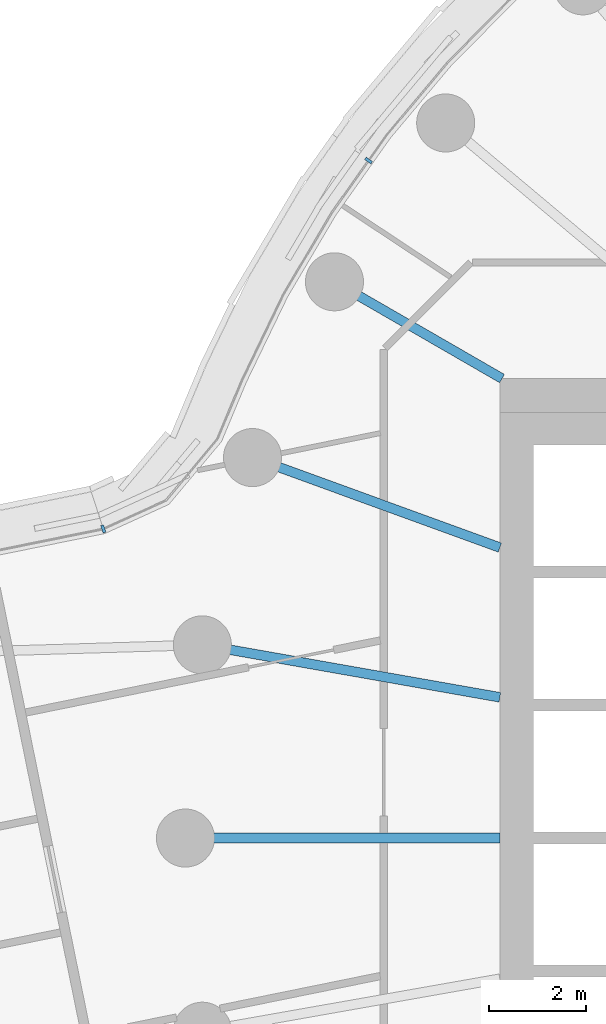
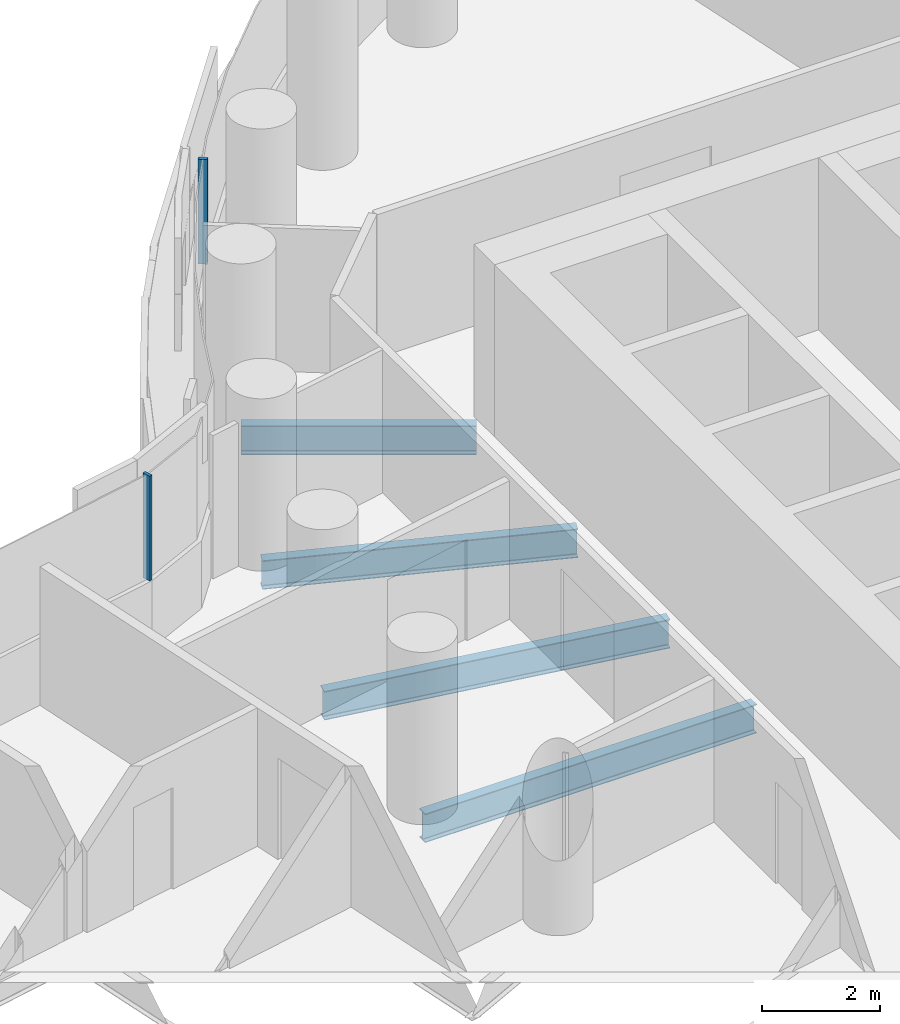
# One storey, part 7 of 31: 4 beams, 2 members, 2 elements without a shape of their own.
"""IFC4 building model written with IfcOpenShell, lengths in metres."""

from ifc_helpers import new_model, si_unit, direction, frame, origin, origin_2d, place, context, subcontext, project, spatial, rectangle, i_section, extrude, material, layer, layer_set, material_profile, profile_set, type_object, element, aggregate, save


model = new_model("IFC4")

# Units and contexts
model_context = context("Model", 3, precision=1e-05, world=origin(), true_north=direction((0.0, 1.0)))
body_context = subcontext(model_context, "Body", "Model", "MODEL_VIEW")
ifc_project = project(units=[si_unit("LENGTHUNIT", "METRE"), si_unit("AREAUNIT", "SQUARE_METRE"), si_unit("VOLUMEUNIT", "CUBIC_METRE"), si_unit("PLANEANGLEUNIT", "RADIAN"), si_unit("MASSUNIT", "GRAM", prefix="KILO")], contexts=[model_context])

# Site, building, storey
site_placement = place(None, origin())
site = spatial("IfcSite", under=ifc_project, at=site_placement, CompositionType="ELEMENT")
building_placement = place(site_placement, origin())
building = spatial("IfcBuilding", under=site, at=building_placement, Name="Tamarind Cross Interchange Tower", CompositionType="ELEMENT")
storey_placement = place(building_placement, frame((0.0, 0.0, 75.25)))
storey = spatial("IfcBuildingStorey", under=building, at=storey_placement, Name="L17", CompositionType="ELEMENT", Elevation=75.25)

# Beams
ifc_material_1 = material(Name="Steel Q355B", Category="steel")
ifc_material_profile_1 = material_profile(ifc_material_1, i_section(OverallWidth=0.198974609375, OverallDepth=0.595947265625, WebThickness=0.010009765625, FlangeThickness=0.014892578125, FilletRadius=0.012939453125, at=origin_2d()), Name="HN 596x199x10x15")
ifc_profile_set_1 = profile_set([ifc_material_profile_1], Name="Steel Q355B")
beam_type = type_object("IfcBeamType", Name="Composite beam HN 596x199x10x15 Q355B", PredefinedType="BEAM", material=ifc_profile_set_1)
beam_1_placement = place(storey_placement, frame((-19.918701171875, 11.5, -0.43798828125), z_axis=(0.866026010844, -0.49999894854, 0.0), x_axis=(0.49999894854, 0.866026010844, 0.0)))
element("IfcBeam", 1, at=beam_1_placement, inside=storey, type_object=beam_type, Name="Beam HH15", PredefinedType="BEAM", context=body_context, shape_type="SweptSolid", body=[
    extrude(i_section(OverallWidth=0.198974609375, OverallDepth=0.595947265625, WebThickness=0.010009765625, FlangeThickness=0.014892578125, FilletRadius=0.012939453125, at=origin_2d()), origin(), (0.0, 0.0, 1.0), 4.0),
])
beam_2_placement = place(storey_placement, frame((-21.613037109375, 7.866455078125, -0.43798828125), z_axis=(0.939701685589, -0.341995236956, 0.0), x_axis=(0.341995236956, 0.939701685589, 0.0)))
element("IfcBeam", 2, at=beam_2_placement, inside=storey, type_object=beam_type, Name="Beam HH16", PredefinedType="BEAM", context=body_context, shape_type="SweptSolid", body=[
    extrude(i_section(OverallWidth=0.198974609375, OverallDepth=0.595947265625, WebThickness=0.010009765625, FlangeThickness=0.014892578125, FilletRadius=0.012939453125, at=origin_2d()), origin(), (0.0, 0.0, 1.0), 5.441162109375),
])
beam_3_placement = place(storey_placement, frame((-22.650634765625, 3.993896484375, -0.43798828125), z_axis=(0.984809127561, -0.173640382036, 0.0), x_axis=(0.173640382036, 0.984809127561, 0.0)))
element("IfcBeam", 3, at=beam_3_placement, inside=storey, type_object=beam_type, Name="Beam HH17", PredefinedType="BEAM", context=body_context, shape_type="SweptSolid", body=[
    extrude(i_section(OverallWidth=0.198974609375, OverallDepth=0.595947265625, WebThickness=0.010009765625, FlangeThickness=0.014892578125, FilletRadius=0.012939453125, at=origin_2d()), origin(), (0.0, 0.0, 1.0), 6.24560546875),
])
beam_4_placement = place(storey_placement, frame((-23.0, 0.0, -0.43798828125), z_axis=(1.0, 0.0, 0.0), x_axis=(0.0, 1.0, 0.0)))
element("IfcBeam", 4, at=beam_4_placement, inside=storey, type_object=beam_type, Name="Beam HH18", PredefinedType="BEAM", context=body_context, shape_type="SweptSolid", body=[
    extrude(i_section(OverallWidth=0.198974609375, OverallDepth=0.595947265625, WebThickness=0.010009765625, FlangeThickness=0.014892578125, FilletRadius=0.012939453125, at=origin_2d()), origin(), (0.0, 0.0, 1.0), 6.5),
])

# Curtain wall, member
ifc_material_2 = material(Name="Aluminium 6063-T6", Category="aluminium")
ifc_layer = layer(ifc_material_2, 0.159912109375)
ifc_layer_set = layer_set([ifc_layer], Name="Aluminium 6063-T6")
curtain_wall_type = type_object("IfcCurtainWallType", Name="Office curtain wall, 9.0 m bays", PredefinedType="NOTDEFINED", material=ifc_layer_set)
curtain_wall_1_placement = place(storey_placement, origin())
curtain_wall_1 = element("IfcCurtainWall", 5, at=curtain_wall_1_placement, inside=storey, type_object=curtain_wall_type, Name="CWS-L17-14", PredefinedType="NOTDEFINED")
ifc_material_profile_2 = material_profile(ifc_material_2, rectangle(XDim=0.06005859375, YDim=0.159912109375, at=origin_2d()), Name="Mullion CW1")
ifc_profile_set_2 = profile_set([ifc_material_profile_2], Name="Aluminium 6063-T6")
member_type = type_object("IfcMemberType", Name="Mullion CW1", PredefinedType="MULLION", material=ifc_profile_set_2)
member_1_placement = place(storey_placement, frame((-19.21435546875, 14.007080078125, 1.39990234375), z_axis=(0.0, 0.0, 1.0), x_axis=(-0.577568978284, -0.816341886298, 0.0)))
member_1 = element("IfcMember", 6, at=member_1_placement, type_object=member_type, Name="CWM-L17-14-02", PredefinedType="MULLION", context=body_context, shape_type="SweptSolid", body=[
    extrude(rectangle(XDim=0.06005859375, YDim=0.159912109375, at=origin_2d()), origin(), (0.0, 0.0, 1.0), 2.170166015625),
])
aggregate(curtain_wall_1, [member_1])

curtain_wall_2_placement = place(storey_placement, origin())
curtain_wall_2 = element("IfcCurtainWall", 7, at=curtain_wall_2_placement, inside=storey, type_object=curtain_wall_type, Name="CWS-L17-15", PredefinedType="NOTDEFINED")
member_2_placement = place(storey_placement, frame((-24.697998046875, 6.390625, 1.39990234375), z_axis=(0.0, 0.0, 1.0), x_axis=(-0.951120893865, -0.308818790318, 0.0)))
member_2 = element("IfcMember", 8, at=member_2_placement, type_object=member_type, Name="CWM-L17-15-00", PredefinedType="MULLION", context=body_context, shape_type="SweptSolid", body=[
    extrude(rectangle(XDim=0.06005859375, YDim=0.159912109375, at=origin_2d()), origin(), (0.0, 0.0, 1.0), 2.170166015625),
])
aggregate(curtain_wall_2, [member_2])

save(model, "model.ifc")
